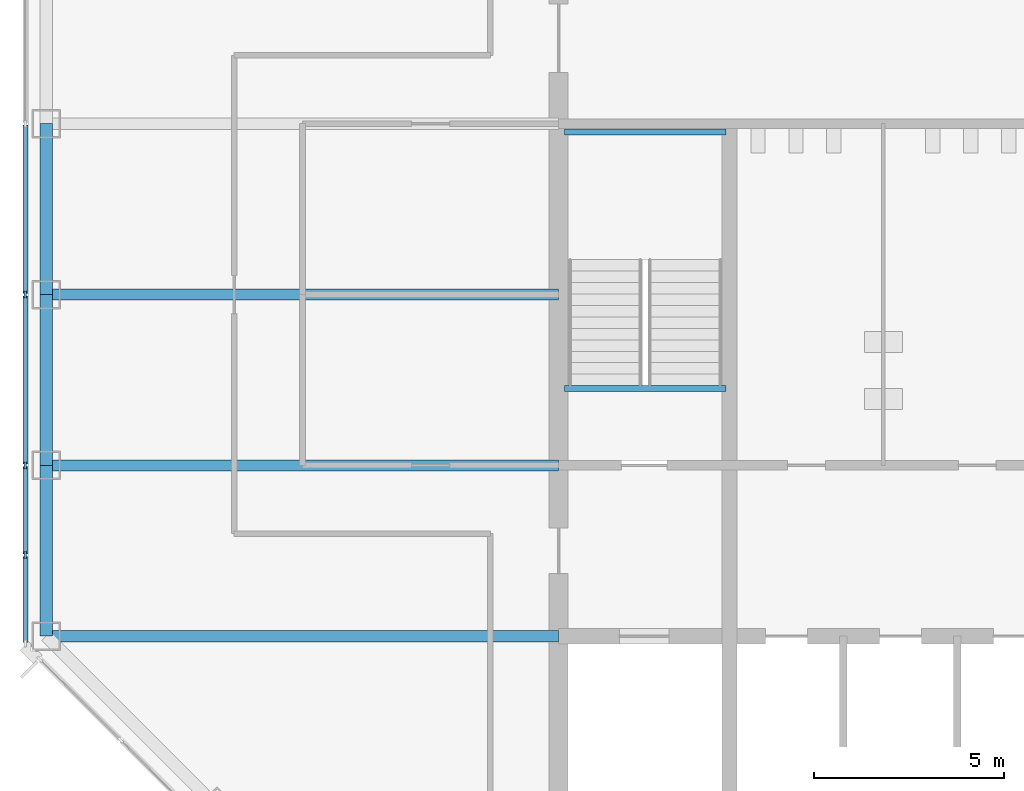
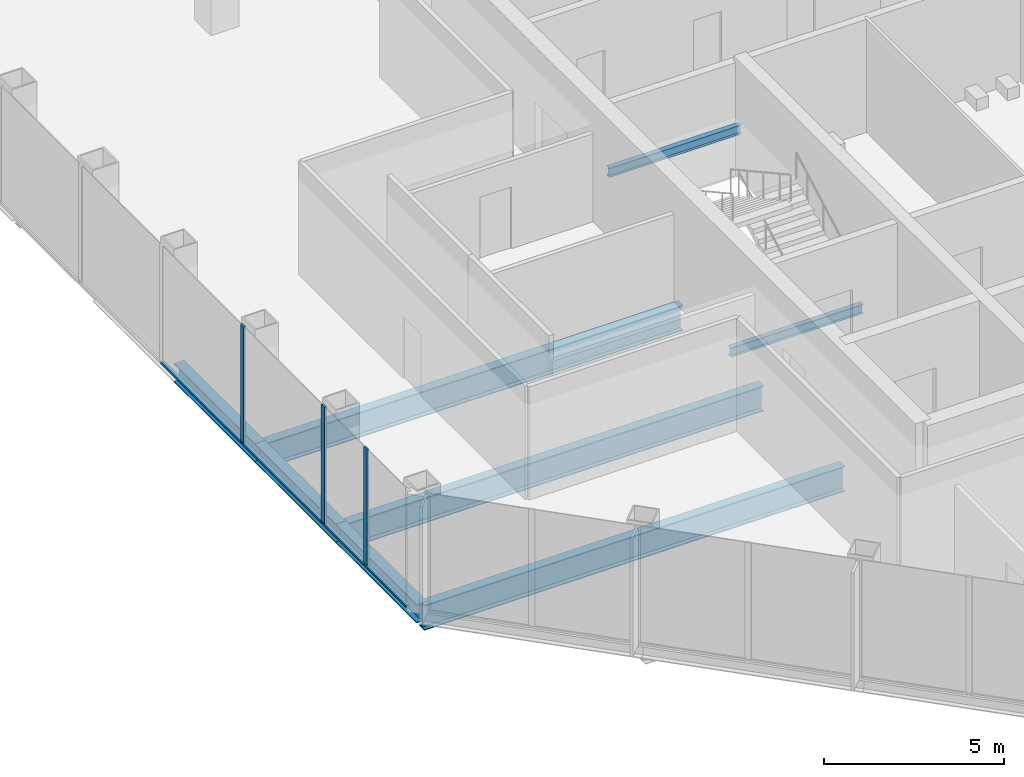
# One storey, part 3 of 12: 8 beams, 7 members, 1 element without a shape of its own.
"""IFC4 building model written with IfcOpenShell, lengths in metres."""

from ifc_helpers import new_model, si_unit, direction, frame, origin, origin_2d, place, context, subcontext, project, spatial, rectangle, i_section, extrude, material, material_profile, profile_set, type_object, element, aggregate, save


model = new_model("IFC4")

# Units and contexts
model_context = context("Model", 3, precision=1e-05, world=origin(), true_north=direction((0.0, 1.0)))
body_context = subcontext(model_context, "Body", "Model", "MODEL_VIEW")
ifc_project = project(units=[si_unit("LENGTHUNIT", "METRE"), si_unit("AREAUNIT", "SQUARE_METRE"), si_unit("VOLUMEUNIT", "CUBIC_METRE"), si_unit("PLANEANGLEUNIT", "RADIAN"), si_unit("MASSUNIT", "GRAM", prefix="KILO")], contexts=[model_context])

# Site, building, storey
site_placement = place(None, origin())
site = spatial("IfcSite", under=ifc_project, at=site_placement, CompositionType="ELEMENT")
building_placement = place(site_placement, origin())
building = spatial("IfcBuilding", under=site, at=building_placement, Name="Corais Broadcast Tower", CompositionType="ELEMENT")
storey_placement = place(building_placement, frame((0.0, 0.0, 127.60009765625)))
storey = spatial("IfcBuildingStorey", under=building, at=storey_placement, Name="L28", CompositionType="ELEMENT", Elevation=127.60009765625)

# Beams
ifc_material_1 = material(Name="Steel ASTM A572 Grade 50", Category="steel")
ifc_material_profile_1 = material_profile(ifc_material_1, i_section(OverallWidth=0.2939453125, OverallDepth=0.85107421875, WebThickness=0.01611328125, FlangeThickness=0.02685546875, at=origin_2d()), Name="W840x226")
ifc_profile_set_1 = profile_set([ifc_material_profile_1], Name="Steel ASTM A572 Grade 50")
beam_type_1 = type_object("IfcBeamType", Name="Floor beam W840x226", PredefinedType="BEAM", material=ifc_profile_set_1)
for number, where, z_axis, x_axis, name in (
    (1, (0.0, 18.0, -0.585693359375), (1.0, 0.0, 0.0), (0.0, 1.0, 0.0), "B1 E/3 to E/6"),
    (2, (0.0, 22.5, -0.585693359375), (1.0, 0.0, 0.0), (0.0, 1.0, 0.0), "B1 F/3 to F/6"),
    (3, (0.0, 27.0, -0.585693359375), (1.0, 0.0, 0.0), (0.0, 1.0, 0.0), "B1 G/3 to G/6"),
):
    element("IfcBeam", number, at=place(storey_placement, frame(where, z_axis=z_axis, x_axis=x_axis)), inside=storey, type_object=beam_type_1, Name=name, PredefinedType="BEAM", context=body_context, shape_type="SweptSolid", body=[
        extrude(i_section(OverallWidth=0.2939453125, OverallDepth=0.85107421875, WebThickness=0.01611328125, FlangeThickness=0.02685546875, at=origin_2d()), origin(), (0.0, 0.0, 1.0), 13.5),
    ])
ifc_material_2 = material(Name="Steel ASTM A572 Grade 50", Category="steel")
ifc_material_profile_2 = material_profile(ifc_material_2, i_section(OverallWidth=0.1650390625, OverallDepth=0.31005859375, WebThickness=0.005859375, FlangeThickness=0.009765625, at=origin_2d()), Name="W310x38.7")
ifc_profile_set_2 = profile_set([ifc_material_profile_2], Name="Steel ASTM A572 Grade 50")
beam_type_2 = type_object("IfcBeamType", Name="Landing trimmer W310x38.7", PredefinedType="BEAM", material=ifc_profile_set_2)
for number, where, z_axis, x_axis, name in (
    (4, (13.64990234375, 24.52490234375, -0.35498046875), (1.0, 0.0, 0.0), (0.0, 1.0, 0.0), "LT1 stair A landing trimmer L28"),
    (5, (13.64990234375, 31.284912109375, 1.64501953125), (1.0, 0.0, 0.0), (0.0, 1.0, 0.0), "LT1 stair A half landing trimmer L28"),
):
    element("IfcBeam", number, at=place(storey_placement, frame(where, z_axis=z_axis, x_axis=x_axis)), inside=storey, type_object=beam_type_2, Name=name, PredefinedType="BEAM", context=body_context, shape_type="SweptSolid", body=[
        extrude(i_section(OverallWidth=0.1650390625, OverallDepth=0.31005859375, WebThickness=0.005859375, FlangeThickness=0.009765625, at=origin_2d()), origin(), (0.0, 0.0, 1.0), 4.25),
    ])

# Curtain wall, members
ifc_material_3 = material(Name="Aluminium and glass", Category="aluminium")
curtain_wall_type = type_object("IfcCurtainWallType", Name="Unitised fritted curtain wall CW2", PredefinedType="NOTDEFINED", material=ifc_material_3)
curtain_wall_placement = place(storey_placement, origin())
curtain_wall = element("IfcCurtainWall", 6, at=curtain_wall_placement, inside=storey, type_object=curtain_wall_type, Name="CW2 curtain wall L28 2", PredefinedType="NOTDEFINED")
ifc_material_4 = material(Name="Aluminium 6063-T6", Category="aluminium")
ifc_material_profile_3 = material_profile(ifc_material_4, rectangle(XDim=0.06494140625, YDim=0.179931640625, at=origin_2d()), Name="Mullion CW2 65x180")
ifc_profile_set_3 = profile_set([ifc_material_profile_3], Name="Aluminium 6063-T6")
member_type_1 = type_object("IfcMemberType", Name="Mullion CW2 65x180", PredefinedType="MULLION", material=ifc_profile_set_3)
member_1_placement = place(storey_placement, frame((-0.550048828125, 20.135986328125, 0.0), z_axis=(0.0, 0.0, 1.0), x_axis=(-1.0, 0.0, 0.0)))
member_1 = element("IfcMember", 7, at=member_1_placement, type_object=member_type_1, Name="CW2 mullion 2", PredefinedType="MULLION", context=body_context, shape_type="SweptSolid", body=[
    extrude(rectangle(XDim=0.06494140625, YDim=0.179931640625, at=origin_2d()), origin(), (0.0, 0.0, 1.0), 4.0),
])
member_2_placement = place(storey_placement, frame((-0.550048828125, 22.5, 0.0), z_axis=(0.0, 0.0, 1.0), x_axis=(-1.0, 0.0, 0.0)))
member_2 = element("IfcMember", 8, at=member_2_placement, type_object=member_type_1, Name="CW2 mullion 3", PredefinedType="MULLION", context=body_context, shape_type="SweptSolid", body=[
    extrude(rectangle(XDim=0.06494140625, YDim=0.179931640625, at=origin_2d()), origin(), (0.0, 0.0, 1.0), 4.0),
])
member_3_placement = place(storey_placement, frame((-0.550048828125, 27.0, 0.0), z_axis=(0.0, 0.0, 1.0), x_axis=(-1.0, 0.0, 0.0)))
member_3 = element("IfcMember", 9, at=member_3_placement, type_object=member_type_1, Name="CW2 mullion 4", PredefinedType="MULLION", context=body_context, shape_type="SweptSolid", body=[
    extrude(rectangle(XDim=0.06494140625, YDim=0.179931640625, at=origin_2d()), origin(), (0.0, 0.0, 1.0), 4.0),
])

# Beams
ifc_material_5 = material(Name="Steel ASTM A572 Grade 50", Category="steel")
ifc_material_profile_4 = material_profile(ifc_material_5, i_section(OverallWidth=0.3291015625, OverallDepth=0.635009765625, WebThickness=0.017822265625, FlangeThickness=0.031005859375, at=origin_2d()), Name="W610x241")
ifc_profile_set_4 = profile_set([ifc_material_profile_4], Name="Steel ASTM A572 Grade 50")
beam_type_3 = type_object("IfcBeamType", Name="Spandrel W610x241", PredefinedType="BEAM", material=ifc_profile_set_4)
for number, where, z_axis, x_axis, name in (
    (10, (0.0, 22.5, -0.4775390625), (0.0, -1.0, 0.0), (1.0, 0.0, 0.0), "SB1 F/3 to E/3"),
    (11, (0.0, 27.0, -0.4775390625), (0.0, -1.0, 0.0), (1.0, 0.0, 0.0), "SB1 G/3 to F/3"),
    (12, (0.0, 31.5, -0.4775390625), (0.0, -1.0, 0.0), (1.0, 0.0, 0.0), "SB1 H/3 to G/3"),
):
    element("IfcBeam", number, at=place(storey_placement, frame(where, z_axis=z_axis, x_axis=x_axis)), inside=storey, type_object=beam_type_3, Name=name, PredefinedType="BEAM", context=body_context, shape_type="SweptSolid", body=[
        extrude(i_section(OverallWidth=0.3291015625, OverallDepth=0.635009765625, WebThickness=0.017822265625, FlangeThickness=0.031005859375, at=origin_2d()), origin(), (0.0, 0.0, 1.0), 4.5),
    ])

# Member
ifc_material_6 = material(Name="Aluminium 6063-T6", Category="aluminium")
ifc_material_profile_5 = material_profile(ifc_material_6, rectangle(XDim=0.1298828125, YDim=0.06494140625, at=origin_2d()), Name="Transom CW2 65x130")
ifc_profile_set_5 = profile_set([ifc_material_profile_5], Name="Aluminium 6063-T6")
member_type_2 = type_object("IfcMemberType", Name="Transom CW2 65x130", PredefinedType="USERDEFINED", material=ifc_profile_set_5)
member_4_placement = place(storey_placement, frame((-0.550048828125, 17.837158203125, 0.032470703125), z_axis=(0.0, 1.0, 0.0), x_axis=(-1.0, 0.0, 0.0)))
member_4 = element("IfcMember", 13, at=member_4_placement, type_object=member_type_2, Name="CW2 transom 1.1", ObjectType="TRANSOM", PredefinedType="USERDEFINED", context=body_context, shape_type="SweptSolid", body=[
    extrude(rectangle(XDim=0.1298828125, YDim=0.06494140625, at=origin_2d()), origin(), (0.0, 0.0, 1.0), 2.266357421875),
])

member_5_placement = place(storey_placement, frame((-0.550048828125, 20.168701171875, 0.032470703125), z_axis=(0.0, 1.0, 0.0), x_axis=(-1.0, 0.0, 0.0)))
member_5 = element("IfcMember", 14, at=member_5_placement, type_object=member_type_2, Name="CW2 transom 2.1", ObjectType="TRANSOM", PredefinedType="USERDEFINED", context=body_context, shape_type="SweptSolid", body=[
    extrude(rectangle(XDim=0.1298828125, YDim=0.06494140625, at=origin_2d()), origin(), (0.0, 0.0, 1.0), 2.298828125),
])

member_6_placement = place(storey_placement, frame((-0.550048828125, 22.532470703125, 0.032470703125), z_axis=(0.0, 1.0, 0.0), x_axis=(-1.0, 0.0, 0.0)))
member_6 = element("IfcMember", 15, at=member_6_placement, type_object=member_type_2, Name="CW2 transom 3.1", ObjectType="TRANSOM", PredefinedType="USERDEFINED", context=body_context, shape_type="SweptSolid", body=[
    extrude(rectangle(XDim=0.1298828125, YDim=0.06494140625, at=origin_2d()), origin(), (0.0, 0.0, 1.0), 4.43505859375),
])

member_7_placement = place(storey_placement, frame((-0.550048828125, 27.032470703125, 0.032470703125), z_axis=(0.0, 1.0, 0.0), x_axis=(-1.0, 0.0, 0.0)))
member_7 = element("IfcMember", 16, at=member_7_placement, type_object=member_type_2, Name="CW2 transom 4.1", ObjectType="TRANSOM", PredefinedType="USERDEFINED", context=body_context, shape_type="SweptSolid", body=[
    extrude(rectangle(XDim=0.1298828125, YDim=0.06494140625, at=origin_2d()), origin(), (0.0, 0.0, 1.0), 4.43505859375),
])

aggregate(curtain_wall, [member_1, member_2, member_3, member_4, member_5, member_6, member_7])

save(model, "model.ifc")
